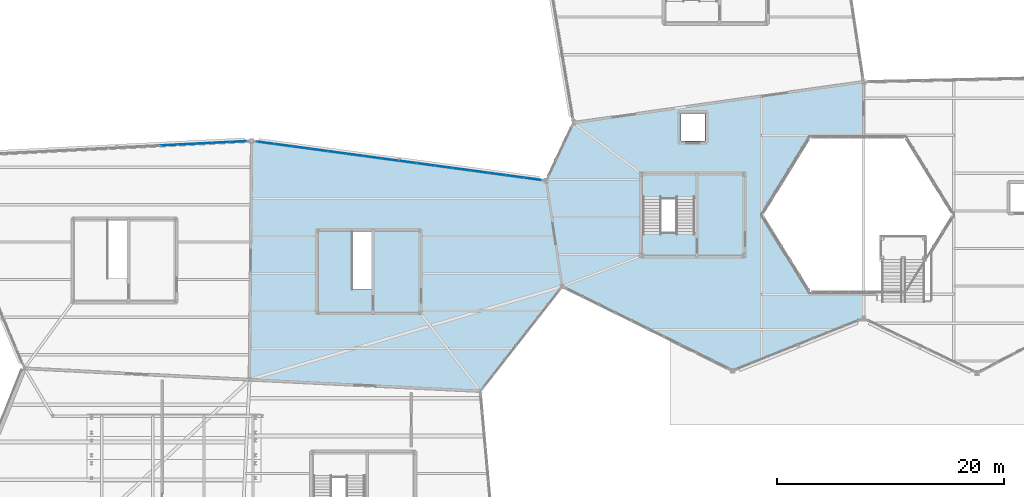
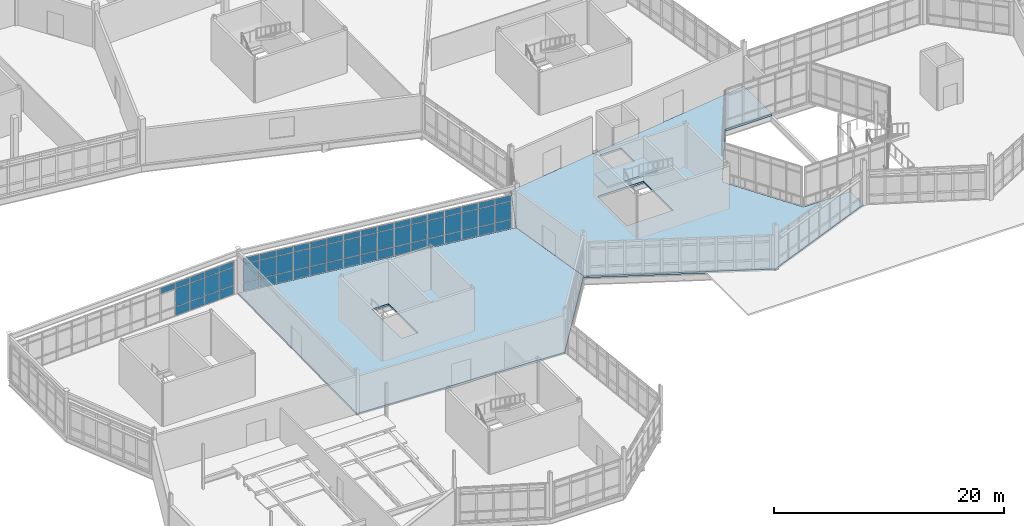
# One storey, part 84 of 134: 61 plates, 3 slabs, 3 elements without a shape of their own.
"""IFC4 building model written with IfcOpenShell, lengths in metres."""

from ifc_helpers import new_model, si_unit, direction, frame, origin, origin_2d, place, context, subcontext, project, spatial, polyline, rectangle, outline, extrude, material, layer, layer_set, type_object, element, aggregate, save


model = new_model("IFC4")

# Units and contexts
model_context = context("Model", 3, precision=1e-05, world=origin(), true_north=direction((0.0, 1.0)))
body_context = subcontext(model_context, "Body", "Model", "MODEL_VIEW")
ifc_project = project(units=[si_unit("LENGTHUNIT", "METRE"), si_unit("AREAUNIT", "SQUARE_METRE"), si_unit("VOLUMEUNIT", "CUBIC_METRE"), si_unit("PLANEANGLEUNIT", "RADIAN"), si_unit("MASSUNIT", "GRAM", prefix="KILO")], contexts=[model_context])

# Site, building, storey
site_placement = place(None, origin())
site = spatial("IfcSite", under=ifc_project, at=site_placement, CompositionType="ELEMENT")
building_placement = place(site_placement, origin())
building = spatial("IfcBuilding", under=site, at=building_placement, Name="Tameran Prism Museum", CompositionType="ELEMENT")
storey_placement = place(building_placement, frame((0.0, 0.0, 5.39990234375)))
storey = spatial("IfcBuildingStorey", under=building, at=storey_placement, Name="L01", CompositionType="ELEMENT", Elevation=5.39990234375)

# Curtain wall, plates
ifc_material_1 = material(Name="Anodised Aluminium 6063-T6 and Cyclone Solar Glass", Category="aluminium")
curtain_wall_type_1 = type_object("IfcCurtainWallType", Name="CW-FAC-2297x362", PredefinedType="USERDEFINED", material=ifc_material_1)
curtain_wall_1_placement = place(storey_placement, origin())
curtain_wall_1 = element("IfcCurtainWall", 1, at=curtain_wall_1_placement, inside=storey, type_object=curtain_wall_type_1, Name="Unitised Curtain Wall CW-087", ObjectType="UNITISED CURTAIN WALL", PredefinedType="USERDEFINED")
ifc_material_2 = material(Name="Cyclone Laminated Solar Glass", Category="glass")
ifc_layer_1 = layer(ifc_material_2, 0.031982421875)
ifc_layer_set_1 = layer_set([ifc_layer_1])
plate_type = type_object("IfcPlateType", Name="CW-PNL-G32", PredefinedType="CURTAIN_PANEL", material=ifc_layer_set_1)
plate_1_placement = place(storey_placement, frame((16.407958984375, 42.630615234375, 2.97265625), z_axis=(0.0, 0.0, 1.0), x_axis=(0.99872175444, 0.050545595335, 0.0)))
plate_1 = element("IfcPlate", 2, at=plate_1_placement, type_object=plate_type, Name="CW-087 panel 11.3", PredefinedType="CURTAIN_PANEL", context=body_context, shape_type="SweptSolid", body=[
    extrude(rectangle(XDim=1.46630859375, YDim=0.031982421875, at=origin_2d()), origin(), (0.0, 0.0, 1.0), 0.58251953125),
])
plate_2_placement = place(storey_placement, frame((17.937255859375, 42.7080078125, 0.06494140625), z_axis=(0.0, 0.0, 1.0), x_axis=(0.99872175444, 0.050545595335, 0.0)))
plate_2 = element("IfcPlate", 3, at=plate_2_placement, type_object=plate_type, Name="CW-087 panel 12.1", PredefinedType="CURTAIN_PANEL", context=body_context, shape_type="SweptSolid", body=[
    extrude(rectangle(XDim=1.46630859375, YDim=0.031982421875, at=origin_2d()), origin(), (0.0, 0.0, 1.0), 0.902587890625),
])
plate_3_placement = place(storey_placement, frame((17.937255859375, 42.7080078125, 1.03271484375), z_axis=(0.0, 0.0, 1.0), x_axis=(0.99872175444, 0.050545595335, 0.0)))
plate_3 = element("IfcPlate", 4, at=plate_3_placement, type_object=plate_type, Name="CW-087 panel 12.2", PredefinedType="CURTAIN_PANEL", context=body_context, shape_type="SweptSolid", body=[
    extrude(rectangle(XDim=1.46630859375, YDim=0.031982421875, at=origin_2d()), origin(), (0.0, 0.0, 1.0), 1.875),
])
plate_4_placement = place(storey_placement, frame((17.937255859375, 42.7080078125, 2.97265625), z_axis=(0.0, 0.0, 1.0), x_axis=(0.99872175444, 0.050545595335, 0.0)))
plate_4 = element("IfcPlate", 5, at=plate_4_placement, type_object=plate_type, Name="CW-087 panel 12.3", PredefinedType="CURTAIN_PANEL", context=body_context, shape_type="SweptSolid", body=[
    extrude(rectangle(XDim=1.46630859375, YDim=0.031982421875, at=origin_2d()), origin(), (0.0, 0.0, 1.0), 0.58251953125),
])
plate_5_placement = place(storey_placement, frame((19.466552734375, 42.785400390625, 0.06494140625), z_axis=(0.0, 0.0, 1.0), x_axis=(0.99872175444, 0.050545595335, 0.0)))
plate_5 = element("IfcPlate", 6, at=plate_5_placement, type_object=plate_type, Name="CW-087 panel 13.1", PredefinedType="CURTAIN_PANEL", context=body_context, shape_type="SweptSolid", body=[
    extrude(rectangle(XDim=1.46630859375, YDim=0.031982421875, at=origin_2d()), origin(), (0.0, 0.0, 1.0), 0.902587890625),
])
plate_6_placement = place(storey_placement, frame((19.466552734375, 42.785400390625, 1.03271484375), z_axis=(0.0, 0.0, 1.0), x_axis=(0.99872175444, 0.050545595335, 0.0)))
plate_6 = element("IfcPlate", 7, at=plate_6_placement, type_object=plate_type, Name="CW-087 panel 13.2", PredefinedType="CURTAIN_PANEL", context=body_context, shape_type="SweptSolid", body=[
    extrude(rectangle(XDim=1.46630859375, YDim=0.031982421875, at=origin_2d()), origin(), (0.0, 0.0, 1.0), 1.875),
])
plate_7_placement = place(storey_placement, frame((19.466552734375, 42.785400390625, 2.97265625), z_axis=(0.0, 0.0, 1.0), x_axis=(0.99872175444, 0.050545595335, 0.0)))
plate_7 = element("IfcPlate", 8, at=plate_7_placement, type_object=plate_type, Name="CW-087 panel 13.3", PredefinedType="CURTAIN_PANEL", context=body_context, shape_type="SweptSolid", body=[
    extrude(rectangle(XDim=1.46630859375, YDim=0.031982421875, at=origin_2d()), origin(), (0.0, 0.0, 1.0), 0.58251953125),
])
plate_8_placement = place(storey_placement, frame((20.99609375, 42.86279296875, 0.06494140625), z_axis=(0.0, 0.0, 1.0), x_axis=(0.99872175444, 0.050545595335, 0.0)))
plate_8 = element("IfcPlate", 9, at=plate_8_placement, type_object=plate_type, Name="CW-087 panel 14.1", PredefinedType="CURTAIN_PANEL", context=body_context, shape_type="SweptSolid", body=[
    extrude(rectangle(XDim=1.46630859375, YDim=0.031982421875, at=origin_2d()), origin(), (0.0, 0.0, 1.0), 0.902587890625),
])
plate_9_placement = place(storey_placement, frame((20.99609375, 42.86279296875, 1.03271484375), z_axis=(0.0, 0.0, 1.0), x_axis=(0.99872175444, 0.050545595335, 0.0)))
plate_9 = element("IfcPlate", 10, at=plate_9_placement, type_object=plate_type, Name="CW-087 panel 14.2", PredefinedType="CURTAIN_PANEL", context=body_context, shape_type="SweptSolid", body=[
    extrude(rectangle(XDim=1.46630859375, YDim=0.031982421875, at=origin_2d()), origin(), (0.0, 0.0, 1.0), 1.875),
])
plate_10_placement = place(storey_placement, frame((20.99609375, 42.86279296875, 2.97265625), z_axis=(0.0, 0.0, 1.0), x_axis=(0.99872175444, 0.050545595335, 0.0)))
plate_10 = element("IfcPlate", 11, at=plate_10_placement, type_object=plate_type, Name="CW-087 panel 14.3", PredefinedType="CURTAIN_PANEL", context=body_context, shape_type="SweptSolid", body=[
    extrude(rectangle(XDim=1.46630859375, YDim=0.031982421875, at=origin_2d()), origin(), (0.0, 0.0, 1.0), 0.58251953125),
])
plate_11_placement = place(storey_placement, frame((22.509033203125, 42.939453125, 0.06494140625), z_axis=(0.0, 0.0, 1.0), x_axis=(0.99872175444, 0.050545595335, 0.0)))
plate_11 = element("IfcPlate", 12, at=plate_11_placement, type_object=plate_type, Name="CW-087 panel 15.1", PredefinedType="CURTAIN_PANEL", context=body_context, shape_type="SweptSolid", body=[
    extrude(rectangle(XDim=1.433837890625, YDim=0.031982421875, at=origin_2d()), origin(), (0.0, 0.0, 1.0), 0.902587890625),
])
plate_12_placement = place(storey_placement, frame((22.509033203125, 42.939453125, 1.03271484375), z_axis=(0.0, 0.0, 1.0), x_axis=(0.99872175444, 0.050545595335, 0.0)))
plate_12 = element("IfcPlate", 13, at=plate_12_placement, type_object=plate_type, Name="CW-087 panel 15.2", PredefinedType="CURTAIN_PANEL", context=body_context, shape_type="SweptSolid", body=[
    extrude(rectangle(XDim=1.433837890625, YDim=0.031982421875, at=origin_2d()), origin(), (0.0, 0.0, 1.0), 1.875),
])
plate_13_placement = place(storey_placement, frame((22.509033203125, 42.939453125, 2.97265625), z_axis=(0.0, 0.0, 1.0), x_axis=(0.99872175444, 0.050545595335, 0.0)))
plate_13 = element("IfcPlate", 14, at=plate_13_placement, type_object=plate_type, Name="CW-087 panel 15.3", PredefinedType="CURTAIN_PANEL", context=body_context, shape_type="SweptSolid", body=[
    extrude(rectangle(XDim=1.433837890625, YDim=0.031982421875, at=origin_2d()), origin(), (0.0, 0.0, 1.0), 0.58251953125),
])
aggregate(curtain_wall_1, [plate_1, plate_2, plate_3, plate_4, plate_5, plate_6, plate_7, plate_8, plate_9, plate_10, plate_11, plate_12, plate_13])

ifc_material_3 = material(Name="Anodised Aluminium 6063-T6 and Cyclone Solar Glass", Category="aluminium")
curtain_wall_type_2 = type_object("IfcCurtainWallType", Name="CW-FAC-2532x362", PredefinedType="USERDEFINED", material=ifc_material_3)
curtain_wall_2_placement = place(storey_placement, origin())
curtain_wall_2 = element("IfcCurtainWall", 15, at=curtain_wall_2_placement, inside=storey, type_object=curtain_wall_type_2, Name="Unitised Curtain Wall CW-091", ObjectType="UNITISED CURTAIN WALL", PredefinedType="USERDEFINED")
plate_14_placement = place(storey_placement, frame((24.906982421875, 42.8369140625, 0.06494140625), z_axis=(0.0, 0.0, 1.0), x_axis=(0.99099313883, -0.133912653592, 0.0)))
plate_14 = element("IfcPlate", 16, at=plate_14_placement, type_object=plate_type, Name="CW-091 panel 1.1", PredefinedType="CURTAIN_PANEL", context=body_context, shape_type="SweptSolid", body=[
    extrude(rectangle(XDim=1.484619140625, YDim=0.031982421875, at=origin_2d()), origin(), (0.0, 0.0, 1.0), 0.902587890625),
])
plate_15_placement = place(storey_placement, frame((24.906982421875, 42.8369140625, 1.03271484375), z_axis=(0.0, 0.0, 1.0), x_axis=(0.99099313883, -0.133912653592, 0.0)))
plate_15 = element("IfcPlate", 17, at=plate_15_placement, type_object=plate_type, Name="CW-091 panel 1.2", PredefinedType="CURTAIN_PANEL", context=body_context, shape_type="SweptSolid", body=[
    extrude(rectangle(XDim=1.484619140625, YDim=0.031982421875, at=origin_2d()), origin(), (0.0, 0.0, 1.0), 1.875),
])
plate_16_placement = place(storey_placement, frame((24.906982421875, 42.8369140625, 2.97265625), z_axis=(0.0, 0.0, 1.0), x_axis=(0.99099313883, -0.133912653592, 0.0)))
plate_16 = element("IfcPlate", 18, at=plate_16_placement, type_object=plate_type, Name="CW-091 panel 1.3", PredefinedType="CURTAIN_PANEL", context=body_context, shape_type="SweptSolid", body=[
    extrude(rectangle(XDim=1.484619140625, YDim=0.031982421875, at=origin_2d()), origin(), (0.0, 0.0, 1.0), 0.58251953125),
])
plate_17_placement = place(storey_placement, frame((26.458984375, 42.627197265625, 0.06494140625), z_axis=(0.0, 0.0, 1.0), x_axis=(0.99099313883, -0.133912653592, 0.0)))
plate_17 = element("IfcPlate", 19, at=plate_17_placement, type_object=plate_type, Name="CW-091 panel 2.1", PredefinedType="CURTAIN_PANEL", context=body_context, shape_type="SweptSolid", body=[
    extrude(rectangle(XDim=1.51708984375, YDim=0.031982421875, at=origin_2d()), origin(), (0.0, 0.0, 1.0), 0.902587890625),
])
plate_18_placement = place(storey_placement, frame((26.458984375, 42.627197265625, 1.03271484375), z_axis=(0.0, 0.0, 1.0), x_axis=(0.99099313883, -0.133912653592, 0.0)))
plate_18 = element("IfcPlate", 20, at=plate_18_placement, type_object=plate_type, Name="CW-091 panel 2.2", PredefinedType="CURTAIN_PANEL", context=body_context, shape_type="SweptSolid", body=[
    extrude(rectangle(XDim=1.51708984375, YDim=0.031982421875, at=origin_2d()), origin(), (0.0, 0.0, 1.0), 1.875),
])
plate_19_placement = place(storey_placement, frame((26.458984375, 42.627197265625, 2.97265625), z_axis=(0.0, 0.0, 1.0), x_axis=(0.99099313883, -0.133912653592, 0.0)))
plate_19 = element("IfcPlate", 21, at=plate_19_placement, type_object=plate_type, Name="CW-091 panel 2.3", PredefinedType="CURTAIN_PANEL", context=body_context, shape_type="SweptSolid", body=[
    extrude(rectangle(XDim=1.51708984375, YDim=0.031982421875, at=origin_2d()), origin(), (0.0, 0.0, 1.0), 0.58251953125),
])
plate_20_placement = place(storey_placement, frame((28.02685546875, 42.415283203125, 0.06494140625), z_axis=(0.0, 0.0, 1.0), x_axis=(0.99099313883, -0.133912653592, 0.0)))
plate_20 = element("IfcPlate", 22, at=plate_20_placement, type_object=plate_type, Name="CW-091 panel 3.1", PredefinedType="CURTAIN_PANEL", context=body_context, shape_type="SweptSolid", body=[
    extrude(rectangle(XDim=1.51708984375, YDim=0.031982421875, at=origin_2d()), origin(), (0.0, 0.0, 1.0), 0.902587890625),
])
plate_21_placement = place(storey_placement, frame((28.02685546875, 42.415283203125, 1.03271484375), z_axis=(0.0, 0.0, 1.0), x_axis=(0.99099313883, -0.133912653592, 0.0)))
plate_21 = element("IfcPlate", 23, at=plate_21_placement, type_object=plate_type, Name="CW-091 panel 3.2", PredefinedType="CURTAIN_PANEL", context=body_context, shape_type="SweptSolid", body=[
    extrude(rectangle(XDim=1.51708984375, YDim=0.031982421875, at=origin_2d()), origin(), (0.0, 0.0, 1.0), 1.875),
])
plate_22_placement = place(storey_placement, frame((28.02685546875, 42.415283203125, 2.97265625), z_axis=(0.0, 0.0, 1.0), x_axis=(0.99099313883, -0.133912653592, 0.0)))
plate_22 = element("IfcPlate", 24, at=plate_22_placement, type_object=plate_type, Name="CW-091 panel 3.3", PredefinedType="CURTAIN_PANEL", context=body_context, shape_type="SweptSolid", body=[
    extrude(rectangle(XDim=1.51708984375, YDim=0.031982421875, at=origin_2d()), origin(), (0.0, 0.0, 1.0), 0.58251953125),
])
plate_23_placement = place(storey_placement, frame((29.5947265625, 42.203369140625, 0.06494140625), z_axis=(0.0, 0.0, 1.0), x_axis=(0.99099313883, -0.133912653592, 0.0)))
plate_23 = element("IfcPlate", 25, at=plate_23_placement, type_object=plate_type, Name="CW-091 panel 4.1", PredefinedType="CURTAIN_PANEL", context=body_context, shape_type="SweptSolid", body=[
    extrude(rectangle(XDim=1.51708984375, YDim=0.031982421875, at=origin_2d()), origin(), (0.0, 0.0, 1.0), 0.902587890625),
])
plate_24_placement = place(storey_placement, frame((29.5947265625, 42.203369140625, 1.03271484375), z_axis=(0.0, 0.0, 1.0), x_axis=(0.99099313883, -0.133912653592, 0.0)))
plate_24 = element("IfcPlate", 26, at=plate_24_placement, type_object=plate_type, Name="CW-091 panel 4.2", PredefinedType="CURTAIN_PANEL", context=body_context, shape_type="SweptSolid", body=[
    extrude(rectangle(XDim=1.51708984375, YDim=0.031982421875, at=origin_2d()), origin(), (0.0, 0.0, 1.0), 1.875),
])
plate_25_placement = place(storey_placement, frame((29.5947265625, 42.203369140625, 2.97265625), z_axis=(0.0, 0.0, 1.0), x_axis=(0.99099313883, -0.133912653592, 0.0)))
plate_25 = element("IfcPlate", 27, at=plate_25_placement, type_object=plate_type, Name="CW-091 panel 4.3", PredefinedType="CURTAIN_PANEL", context=body_context, shape_type="SweptSolid", body=[
    extrude(rectangle(XDim=1.51708984375, YDim=0.031982421875, at=origin_2d()), origin(), (0.0, 0.0, 1.0), 0.58251953125),
])
plate_26_placement = place(storey_placement, frame((31.16259765625, 41.991455078125, 0.06494140625), z_axis=(0.0, 0.0, 1.0), x_axis=(0.99099313883, -0.133912653592, 0.0)))
plate_26 = element("IfcPlate", 28, at=plate_26_placement, type_object=plate_type, Name="CW-091 panel 5.1", PredefinedType="CURTAIN_PANEL", context=body_context, shape_type="SweptSolid", body=[
    extrude(rectangle(XDim=1.51708984375, YDim=0.031982421875, at=origin_2d()), origin(), (0.0, 0.0, 1.0), 0.902587890625),
])
plate_27_placement = place(storey_placement, frame((31.16259765625, 41.991455078125, 1.03271484375), z_axis=(0.0, 0.0, 1.0), x_axis=(0.99099313883, -0.133912653592, 0.0)))
plate_27 = element("IfcPlate", 29, at=plate_27_placement, type_object=plate_type, Name="CW-091 panel 5.2", PredefinedType="CURTAIN_PANEL", context=body_context, shape_type="SweptSolid", body=[
    extrude(rectangle(XDim=1.51708984375, YDim=0.031982421875, at=origin_2d()), origin(), (0.0, 0.0, 1.0), 1.875),
])
plate_28_placement = place(storey_placement, frame((31.16259765625, 41.991455078125, 2.97265625), z_axis=(0.0, 0.0, 1.0), x_axis=(0.99099313883, -0.133912653592, 0.0)))
plate_28 = element("IfcPlate", 30, at=plate_28_placement, type_object=plate_type, Name="CW-091 panel 5.3", PredefinedType="CURTAIN_PANEL", context=body_context, shape_type="SweptSolid", body=[
    extrude(rectangle(XDim=1.51708984375, YDim=0.031982421875, at=origin_2d()), origin(), (0.0, 0.0, 1.0), 0.58251953125),
])
plate_29_placement = place(storey_placement, frame((32.730712890625, 41.77978515625, 0.06494140625), z_axis=(0.0, 0.0, 1.0), x_axis=(0.99099313883, -0.133912653592, 0.0)))
plate_29 = element("IfcPlate", 31, at=plate_29_placement, type_object=plate_type, Name="CW-091 panel 6.1", PredefinedType="CURTAIN_PANEL", context=body_context, shape_type="SweptSolid", body=[
    extrude(rectangle(XDim=1.51708984375, YDim=0.031982421875, at=origin_2d()), origin(), (0.0, 0.0, 1.0), 0.902587890625),
])
plate_30_placement = place(storey_placement, frame((32.730712890625, 41.77978515625, 1.03271484375), z_axis=(0.0, 0.0, 1.0), x_axis=(0.99099313883, -0.133912653592, 0.0)))
plate_30 = element("IfcPlate", 32, at=plate_30_placement, type_object=plate_type, Name="CW-091 panel 6.2", PredefinedType="CURTAIN_PANEL", context=body_context, shape_type="SweptSolid", body=[
    extrude(rectangle(XDim=1.51708984375, YDim=0.031982421875, at=origin_2d()), origin(), (0.0, 0.0, 1.0), 1.875),
])
plate_31_placement = place(storey_placement, frame((32.730712890625, 41.77978515625, 2.97265625), z_axis=(0.0, 0.0, 1.0), x_axis=(0.99099313883, -0.133912653592, 0.0)))
plate_31 = element("IfcPlate", 33, at=plate_31_placement, type_object=plate_type, Name="CW-091 panel 6.3", PredefinedType="CURTAIN_PANEL", context=body_context, shape_type="SweptSolid", body=[
    extrude(rectangle(XDim=1.51708984375, YDim=0.031982421875, at=origin_2d()), origin(), (0.0, 0.0, 1.0), 0.58251953125),
])
plate_32_placement = place(storey_placement, frame((34.298583984375, 41.56787109375, 0.06494140625), z_axis=(0.0, 0.0, 1.0), x_axis=(0.99099313883, -0.133912653592, 0.0)))
plate_32 = element("IfcPlate", 34, at=plate_32_placement, type_object=plate_type, Name="CW-091 panel 7.1", PredefinedType="CURTAIN_PANEL", context=body_context, shape_type="SweptSolid", body=[
    extrude(rectangle(XDim=1.51708984375, YDim=0.031982421875, at=origin_2d()), origin(), (0.0, 0.0, 1.0), 0.902587890625),
])
plate_33_placement = place(storey_placement, frame((34.298583984375, 41.56787109375, 1.03271484375), z_axis=(0.0, 0.0, 1.0), x_axis=(0.99099313883, -0.133912653592, 0.0)))
plate_33 = element("IfcPlate", 35, at=plate_33_placement, type_object=plate_type, Name="CW-091 panel 7.2", PredefinedType="CURTAIN_PANEL", context=body_context, shape_type="SweptSolid", body=[
    extrude(rectangle(XDim=1.51708984375, YDim=0.031982421875, at=origin_2d()), origin(), (0.0, 0.0, 1.0), 1.875),
])
plate_34_placement = place(storey_placement, frame((34.298583984375, 41.56787109375, 2.97265625), z_axis=(0.0, 0.0, 1.0), x_axis=(0.99099313883, -0.133912653592, 0.0)))
plate_34 = element("IfcPlate", 36, at=plate_34_placement, type_object=plate_type, Name="CW-091 panel 7.3", PredefinedType="CURTAIN_PANEL", context=body_context, shape_type="SweptSolid", body=[
    extrude(rectangle(XDim=1.51708984375, YDim=0.031982421875, at=origin_2d()), origin(), (0.0, 0.0, 1.0), 0.58251953125),
])
plate_35_placement = place(storey_placement, frame((35.866455078125, 41.35595703125, 0.06494140625), z_axis=(0.0, 0.0, 1.0), x_axis=(0.99099313883, -0.133912653592, 0.0)))
plate_35 = element("IfcPlate", 37, at=plate_35_placement, type_object=plate_type, Name="CW-091 panel 8.1", PredefinedType="CURTAIN_PANEL", context=body_context, shape_type="SweptSolid", body=[
    extrude(rectangle(XDim=1.51708984375, YDim=0.031982421875, at=origin_2d()), origin(), (0.0, 0.0, 1.0), 0.902587890625),
])
plate_36_placement = place(storey_placement, frame((35.866455078125, 41.35595703125, 1.03271484375), z_axis=(0.0, 0.0, 1.0), x_axis=(0.99099313883, -0.133912653592, 0.0)))
plate_36 = element("IfcPlate", 38, at=plate_36_placement, type_object=plate_type, Name="CW-091 panel 8.2", PredefinedType="CURTAIN_PANEL", context=body_context, shape_type="SweptSolid", body=[
    extrude(rectangle(XDim=1.51708984375, YDim=0.031982421875, at=origin_2d()), origin(), (0.0, 0.0, 1.0), 1.875),
])
plate_37_placement = place(storey_placement, frame((35.866455078125, 41.35595703125, 2.97265625), z_axis=(0.0, 0.0, 1.0), x_axis=(0.99099313883, -0.133912653592, 0.0)))
plate_37 = element("IfcPlate", 39, at=plate_37_placement, type_object=plate_type, Name="CW-091 panel 8.3", PredefinedType="CURTAIN_PANEL", context=body_context, shape_type="SweptSolid", body=[
    extrude(rectangle(XDim=1.51708984375, YDim=0.031982421875, at=origin_2d()), origin(), (0.0, 0.0, 1.0), 0.58251953125),
])
plate_38_placement = place(storey_placement, frame((37.4345703125, 41.14404296875, 0.06494140625), z_axis=(0.0, 0.0, 1.0), x_axis=(0.99099313883, -0.133912653592, 0.0)))
plate_38 = element("IfcPlate", 40, at=plate_38_placement, type_object=plate_type, Name="CW-091 panel 9.1", PredefinedType="CURTAIN_PANEL", context=body_context, shape_type="SweptSolid", body=[
    extrude(rectangle(XDim=1.51708984375, YDim=0.031982421875, at=origin_2d()), origin(), (0.0, 0.0, 1.0), 0.902587890625),
])
plate_39_placement = place(storey_placement, frame((37.4345703125, 41.14404296875, 1.03271484375), z_axis=(0.0, 0.0, 1.0), x_axis=(0.99099313883, -0.133912653592, 0.0)))
plate_39 = element("IfcPlate", 41, at=plate_39_placement, type_object=plate_type, Name="CW-091 panel 9.2", PredefinedType="CURTAIN_PANEL", context=body_context, shape_type="SweptSolid", body=[
    extrude(rectangle(XDim=1.51708984375, YDim=0.031982421875, at=origin_2d()), origin(), (0.0, 0.0, 1.0), 1.875),
])
plate_40_placement = place(storey_placement, frame((37.4345703125, 41.14404296875, 2.97265625), z_axis=(0.0, 0.0, 1.0), x_axis=(0.99099313883, -0.133912653592, 0.0)))
plate_40 = element("IfcPlate", 42, at=plate_40_placement, type_object=plate_type, Name="CW-091 panel 9.3", PredefinedType="CURTAIN_PANEL", context=body_context, shape_type="SweptSolid", body=[
    extrude(rectangle(XDim=1.51708984375, YDim=0.031982421875, at=origin_2d()), origin(), (0.0, 0.0, 1.0), 0.58251953125),
])
plate_41_placement = place(storey_placement, frame((39.00244140625, 40.93212890625, 0.06494140625), z_axis=(0.0, 0.0, 1.0), x_axis=(0.99099313883, -0.133912653592, 0.0)))
plate_41 = element("IfcPlate", 43, at=plate_41_placement, type_object=plate_type, Name="CW-091 panel 10.1", PredefinedType="CURTAIN_PANEL", context=body_context, shape_type="SweptSolid", body=[
    extrude(rectangle(XDim=1.51708984375, YDim=0.031982421875, at=origin_2d()), origin(), (0.0, 0.0, 1.0), 0.902587890625),
])
plate_42_placement = place(storey_placement, frame((39.00244140625, 40.93212890625, 1.03271484375), z_axis=(0.0, 0.0, 1.0), x_axis=(0.99099313883, -0.133912653592, 0.0)))
plate_42 = element("IfcPlate", 44, at=plate_42_placement, type_object=plate_type, Name="CW-091 panel 10.2", PredefinedType="CURTAIN_PANEL", context=body_context, shape_type="SweptSolid", body=[
    extrude(rectangle(XDim=1.51708984375, YDim=0.031982421875, at=origin_2d()), origin(), (0.0, 0.0, 1.0), 1.875),
])
plate_43_placement = place(storey_placement, frame((39.00244140625, 40.93212890625, 2.97265625), z_axis=(0.0, 0.0, 1.0), x_axis=(0.99099313883, -0.133912653592, 0.0)))
plate_43 = element("IfcPlate", 45, at=plate_43_placement, type_object=plate_type, Name="CW-091 panel 10.3", PredefinedType="CURTAIN_PANEL", context=body_context, shape_type="SweptSolid", body=[
    extrude(rectangle(XDim=1.51708984375, YDim=0.031982421875, at=origin_2d()), origin(), (0.0, 0.0, 1.0), 0.58251953125),
])
plate_44_placement = place(storey_placement, frame((40.5703125, 40.72021484375, 0.06494140625), z_axis=(0.0, 0.0, 1.0), x_axis=(0.99099313883, -0.133912653592, 0.0)))
plate_44 = element("IfcPlate", 46, at=plate_44_placement, type_object=plate_type, Name="CW-091 panel 11.1", PredefinedType="CURTAIN_PANEL", context=body_context, shape_type="SweptSolid", body=[
    extrude(rectangle(XDim=1.51708984375, YDim=0.031982421875, at=origin_2d()), origin(), (0.0, 0.0, 1.0), 0.902587890625),
])
plate_45_placement = place(storey_placement, frame((40.5703125, 40.72021484375, 1.03271484375), z_axis=(0.0, 0.0, 1.0), x_axis=(0.99099313883, -0.133912653592, 0.0)))
plate_45 = element("IfcPlate", 47, at=plate_45_placement, type_object=plate_type, Name="CW-091 panel 11.2", PredefinedType="CURTAIN_PANEL", context=body_context, shape_type="SweptSolid", body=[
    extrude(rectangle(XDim=1.51708984375, YDim=0.031982421875, at=origin_2d()), origin(), (0.0, 0.0, 1.0), 1.875),
])
plate_46_placement = place(storey_placement, frame((40.5703125, 40.72021484375, 2.97265625), z_axis=(0.0, 0.0, 1.0), x_axis=(0.99099313883, -0.133912653592, 0.0)))
plate_46 = element("IfcPlate", 48, at=plate_46_placement, type_object=plate_type, Name="CW-091 panel 11.3", PredefinedType="CURTAIN_PANEL", context=body_context, shape_type="SweptSolid", body=[
    extrude(rectangle(XDim=1.51708984375, YDim=0.031982421875, at=origin_2d()), origin(), (0.0, 0.0, 1.0), 0.58251953125),
])
plate_47_placement = place(storey_placement, frame((42.13818359375, 40.508544921875, 0.06494140625), z_axis=(0.0, 0.0, 1.0), x_axis=(0.99099313883, -0.133912653592, 0.0)))
plate_47 = element("IfcPlate", 49, at=plate_47_placement, type_object=plate_type, Name="CW-091 panel 12.1", PredefinedType="CURTAIN_PANEL", context=body_context, shape_type="SweptSolid", body=[
    extrude(rectangle(XDim=1.51708984375, YDim=0.031982421875, at=origin_2d()), origin(), (0.0, 0.0, 1.0), 0.902587890625),
])
plate_48_placement = place(storey_placement, frame((42.13818359375, 40.508544921875, 1.03271484375), z_axis=(0.0, 0.0, 1.0), x_axis=(0.99099313883, -0.133912653592, 0.0)))
plate_48 = element("IfcPlate", 50, at=plate_48_placement, type_object=plate_type, Name="CW-091 panel 12.2", PredefinedType="CURTAIN_PANEL", context=body_context, shape_type="SweptSolid", body=[
    extrude(rectangle(XDim=1.51708984375, YDim=0.031982421875, at=origin_2d()), origin(), (0.0, 0.0, 1.0), 1.875),
])
plate_49_placement = place(storey_placement, frame((42.13818359375, 40.508544921875, 2.97265625), z_axis=(0.0, 0.0, 1.0), x_axis=(0.99099313883, -0.133912653592, 0.0)))
plate_49 = element("IfcPlate", 51, at=plate_49_placement, type_object=plate_type, Name="CW-091 panel 12.3", PredefinedType="CURTAIN_PANEL", context=body_context, shape_type="SweptSolid", body=[
    extrude(rectangle(XDim=1.51708984375, YDim=0.031982421875, at=origin_2d()), origin(), (0.0, 0.0, 1.0), 0.58251953125),
])
plate_50_placement = place(storey_placement, frame((43.706298828125, 40.296630859375, 0.06494140625), z_axis=(0.0, 0.0, 1.0), x_axis=(0.99099313883, -0.133912653592, 0.0)))
plate_50 = element("IfcPlate", 52, at=plate_50_placement, type_object=plate_type, Name="CW-091 panel 13.1", PredefinedType="CURTAIN_PANEL", context=body_context, shape_type="SweptSolid", body=[
    extrude(rectangle(XDim=1.51708984375, YDim=0.031982421875, at=origin_2d()), origin(), (0.0, 0.0, 1.0), 0.902587890625),
])
plate_51_placement = place(storey_placement, frame((43.706298828125, 40.296630859375, 1.03271484375), z_axis=(0.0, 0.0, 1.0), x_axis=(0.99099313883, -0.133912653592, 0.0)))
plate_51 = element("IfcPlate", 53, at=plate_51_placement, type_object=plate_type, Name="CW-091 panel 13.2", PredefinedType="CURTAIN_PANEL", context=body_context, shape_type="SweptSolid", body=[
    extrude(rectangle(XDim=1.51708984375, YDim=0.031982421875, at=origin_2d()), origin(), (0.0, 0.0, 1.0), 1.875),
])
plate_52_placement = place(storey_placement, frame((43.706298828125, 40.296630859375, 2.97265625), z_axis=(0.0, 0.0, 1.0), x_axis=(0.99099313883, -0.133912653592, 0.0)))
plate_52 = element("IfcPlate", 54, at=plate_52_placement, type_object=plate_type, Name="CW-091 panel 13.3", PredefinedType="CURTAIN_PANEL", context=body_context, shape_type="SweptSolid", body=[
    extrude(rectangle(XDim=1.51708984375, YDim=0.031982421875, at=origin_2d()), origin(), (0.0, 0.0, 1.0), 0.58251953125),
])
plate_53_placement = place(storey_placement, frame((45.274169921875, 40.084716796875, 0.06494140625), z_axis=(0.0, 0.0, 1.0), x_axis=(0.99099313883, -0.133912653592, 0.0)))
plate_53 = element("IfcPlate", 55, at=plate_53_placement, type_object=plate_type, Name="CW-091 panel 14.1", PredefinedType="CURTAIN_PANEL", context=body_context, shape_type="SweptSolid", body=[
    extrude(rectangle(XDim=1.51708984375, YDim=0.031982421875, at=origin_2d()), origin(), (0.0, 0.0, 1.0), 0.902587890625),
])
plate_54_placement = place(storey_placement, frame((45.274169921875, 40.084716796875, 1.03271484375), z_axis=(0.0, 0.0, 1.0), x_axis=(0.99099313883, -0.133912653592, 0.0)))
plate_54 = element("IfcPlate", 56, at=plate_54_placement, type_object=plate_type, Name="CW-091 panel 14.2", PredefinedType="CURTAIN_PANEL", context=body_context, shape_type="SweptSolid", body=[
    extrude(rectangle(XDim=1.51708984375, YDim=0.031982421875, at=origin_2d()), origin(), (0.0, 0.0, 1.0), 1.875),
])
plate_55_placement = place(storey_placement, frame((45.274169921875, 40.084716796875, 2.97265625), z_axis=(0.0, 0.0, 1.0), x_axis=(0.99099313883, -0.133912653592, 0.0)))
plate_55 = element("IfcPlate", 57, at=plate_55_placement, type_object=plate_type, Name="CW-091 panel 14.3", PredefinedType="CURTAIN_PANEL", context=body_context, shape_type="SweptSolid", body=[
    extrude(rectangle(XDim=1.51708984375, YDim=0.031982421875, at=origin_2d()), origin(), (0.0, 0.0, 1.0), 0.58251953125),
])
plate_56_placement = place(storey_placement, frame((46.842041015625, 39.872802734375, 0.06494140625), z_axis=(0.0, 0.0, 1.0), x_axis=(0.99099313883, -0.133912653592, 0.0)))
plate_56 = element("IfcPlate", 58, at=plate_56_placement, type_object=plate_type, Name="CW-091 panel 15.1", PredefinedType="CURTAIN_PANEL", context=body_context, shape_type="SweptSolid", body=[
    extrude(rectangle(XDim=1.51708984375, YDim=0.031982421875, at=origin_2d()), origin(), (0.0, 0.0, 1.0), 0.902587890625),
])
plate_57_placement = place(storey_placement, frame((46.842041015625, 39.872802734375, 1.03271484375), z_axis=(0.0, 0.0, 1.0), x_axis=(0.99099313883, -0.133912653592, 0.0)))
plate_57 = element("IfcPlate", 59, at=plate_57_placement, type_object=plate_type, Name="CW-091 panel 15.2", PredefinedType="CURTAIN_PANEL", context=body_context, shape_type="SweptSolid", body=[
    extrude(rectangle(XDim=1.51708984375, YDim=0.031982421875, at=origin_2d()), origin(), (0.0, 0.0, 1.0), 1.875),
])
plate_58_placement = place(storey_placement, frame((46.842041015625, 39.872802734375, 2.97265625), z_axis=(0.0, 0.0, 1.0), x_axis=(0.99099313883, -0.133912653592, 0.0)))
plate_58 = element("IfcPlate", 60, at=plate_58_placement, type_object=plate_type, Name="CW-091 panel 15.3", PredefinedType="CURTAIN_PANEL", context=body_context, shape_type="SweptSolid", body=[
    extrude(rectangle(XDim=1.51708984375, YDim=0.031982421875, at=origin_2d()), origin(), (0.0, 0.0, 1.0), 0.58251953125),
])
plate_59_placement = place(storey_placement, frame((48.39404296875, 39.6630859375, 0.06494140625), z_axis=(0.0, 0.0, 1.0), x_axis=(0.99099313883, -0.133912653592, 0.0)))
plate_59 = element("IfcPlate", 61, at=plate_59_placement, type_object=plate_type, Name="CW-091 panel 16.1", PredefinedType="CURTAIN_PANEL", context=body_context, shape_type="SweptSolid", body=[
    extrude(rectangle(XDim=1.484619140625, YDim=0.031982421875, at=origin_2d()), origin(), (0.0, 0.0, 1.0), 0.902587890625),
])
plate_60_placement = place(storey_placement, frame((48.39404296875, 39.6630859375, 1.03271484375), z_axis=(0.0, 0.0, 1.0), x_axis=(0.99099313883, -0.133912653592, 0.0)))
plate_60 = element("IfcPlate", 62, at=plate_60_placement, type_object=plate_type, Name="CW-091 panel 16.2", PredefinedType="CURTAIN_PANEL", context=body_context, shape_type="SweptSolid", body=[
    extrude(rectangle(XDim=1.484619140625, YDim=0.031982421875, at=origin_2d()), origin(), (0.0, 0.0, 1.0), 1.875),
])
plate_61_placement = place(storey_placement, frame((48.39404296875, 39.6630859375, 2.97265625), z_axis=(0.0, 0.0, 1.0), x_axis=(0.99099313883, -0.133912653592, 0.0)))
plate_61 = element("IfcPlate", 63, at=plate_61_placement, type_object=plate_type, Name="CW-091 panel 16.3", PredefinedType="CURTAIN_PANEL", context=body_context, shape_type="SweptSolid", body=[
    extrude(rectangle(XDim=1.484619140625, YDim=0.031982421875, at=origin_2d()), origin(), (0.0, 0.0, 1.0), 0.58251953125),
])
aggregate(curtain_wall_2, [plate_14, plate_15, plate_16, plate_17, plate_18, plate_19, plate_20, plate_21, plate_22, plate_23, plate_24, plate_25, plate_26, plate_27, plate_28, plate_29, plate_30, plate_31, plate_32, plate_33, plate_34, plate_35, plate_36, plate_37, plate_38, plate_39, plate_40, plate_41, plate_42, plate_43, plate_44, plate_45, plate_46, plate_47, plate_48, plate_49, plate_50, plate_51, plate_52, plate_53, plate_54, plate_55, plate_56, plate_57, plate_58, plate_59, plate_60, plate_61])

# Slabs
ifc_material_4 = material(Name="Concrete N32 (32 MPa)", Category="concrete")
ifc_layer_2 = layer(ifc_material_4, 0.199951171875)
ifc_layer_set_2 = layer_set([ifc_layer_2])
slab_type_1 = type_object("IfcSlabType", Name="SL-FLR-200", PredefinedType="FLOOR", material=ifc_layer_set_2)
slab_1_placement = place(storey_placement, frame((0.0, 0.0, -0.199951171875)))
element("IfcSlab", 64, at=slab_1_placement, inside=storey, type_object=slab_type_1, Name="Floor Slab FS-P05-L01", PredefinedType="FLOOR", context=body_context, shape_type="SweptSolid", body=[
    extrude(outline(polyline([(77.5, 27.39990234375), (66.0, 22.800048828125), (51.0, 30.199951171875), (49.60009765625, 39.5), (52.0, 44.60009765625), (77.5, 48.199951171875), (77.5, 43.300048828125), (72.800048828125, 43.300048828125), (68.60009765625, 36.5), (72.800048828125, 29.699951171875), (77.5, 29.699951171875), (77.5, 27.39990234375)]), holes=[polyline([(58.10009765625, 34.93994140625), (62.719970703125, 34.93994140625), (62.719970703125, 40.050048828125), (58.10009765625, 40.050048828125), (58.10009765625, 34.93994140625)]), polyline([(61.449951171875, 43.0), (63.550048828125, 43.0), (63.550048828125, 45.39990234375), (61.449951171875, 45.39990234375), (61.449951171875, 43.0)])]), origin(), (0.0, 0.0, 1.0), 0.199951171875),
])
slab_2_placement = place(storey_placement, frame((0.0, 0.0, -0.199951171875)))
element("IfcSlab", 65, at=slab_2_placement, inside=storey, type_object=slab_type_1, Name="Floor Slab FS-P14-L01", PredefinedType="FLOOR", context=body_context, shape_type="SweptSolid", body=[
    extrude(outline(polyline([(23.699951171875, 43.0), (49.60009765625, 39.5), (51.0, 30.199951171875), (43.800048828125, 21.0), (23.5, 22.0), (23.699951171875, 43.0)]), holes=[polyline([(34.219970703125, 35.050048828125), (32.550048828125, 35.050048828125), (32.550048828125, 29.93994140625), (34.219970703125, 29.93994140625), (34.219970703125, 35.050048828125)])]), origin(), (0.0, 0.0, 1.0), 0.199951171875),
])

# Stair, slab
ifc_material_5 = material(Name="Concrete N40 (40 MPa)", Category="concrete")
stair_type = type_object("IfcStairType", Name="ST-CORE-48", PredefinedType="HALF_TURN_STAIR", material=ifc_material_5)
stair_placement = place(storey_placement, origin())
stair = element("IfcStair", 66, at=stair_placement, inside=storey, type_object=stair_type, Name="Fire-Isolated Stair ST-03-L01", PredefinedType="HALF_TURN_STAIR")
ifc_material_6 = material(Name="Concrete N40 (40 MPa)", Category="concrete")
ifc_layer_3 = layer(ifc_material_6, 0.18505859375)
ifc_layer_set_3 = layer_set([ifc_layer_3])
slab_type_2 = type_object("IfcSlabType", Name="SL-LND-185", PredefinedType="LANDING", material=ifc_layer_set_3)
slab_3_placement = place(storey_placement, frame((0.0, 0.0, 2.215087890625)))
slab_3 = element("IfcSlab", 67, at=slab_3_placement, type_object=slab_type_2, Name="ST-03-L01 landing 1", PredefinedType="LANDING", context=body_context, shape_type="SweptSolid", body=[
    extrude(outline(polyline([(57.8798828125, 37.9150390625), (62.8701171875, 37.9150390625), (62.8701171875, 40.219970703125), (57.8798828125, 40.219970703125), (57.8798828125, 37.9150390625)])), origin(), (0.0, 0.0, 1.0), 0.18505859375),
])
aggregate(stair, [slab_3])

save(model, "model.ifc")
